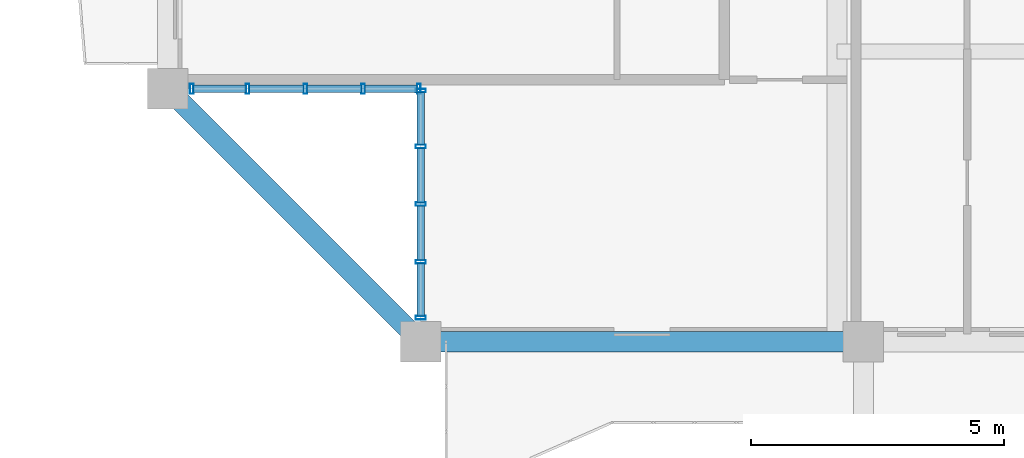
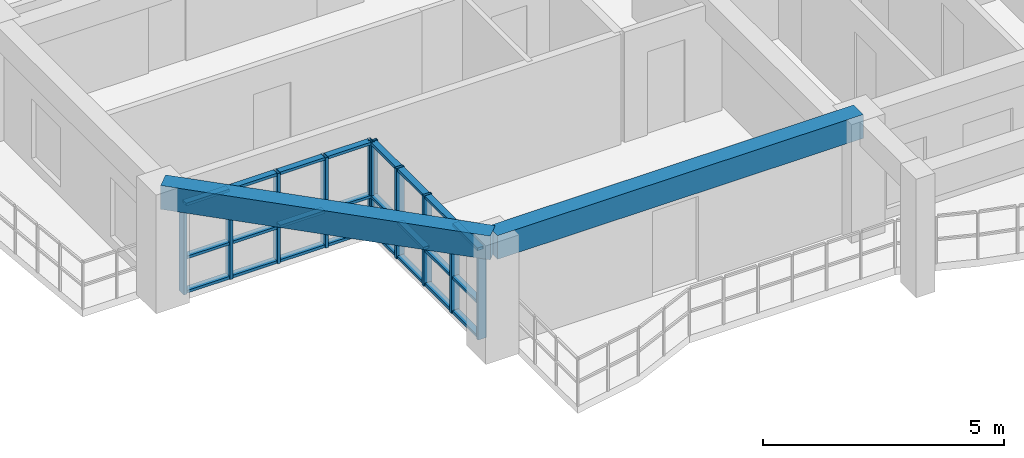
# One storey, part 2 of 22: 34 members, 2 beams, 2 elements without a shape of their own.
"""IFC4 building model written with IfcOpenShell, lengths in metres."""

from ifc_helpers import new_model, si_unit, direction, frame, origin, origin_2d, place, context, subcontext, project, spatial, rectangle, hollow_rectangle, extrude, source, transform, mapped, material, layer, layer_set, material_profile, profile_set, type_object, element, aggregate, save


model = new_model("IFC4")

# Units and contexts
model_context = context("Model", 3, precision=1e-05, world=origin(), true_north=direction((0.0, 1.0)))
body_context = subcontext(model_context, "Body", "Model", "MODEL_VIEW")
ifc_project = project(units=[si_unit("LENGTHUNIT", "METRE"), si_unit("AREAUNIT", "SQUARE_METRE"), si_unit("VOLUMEUNIT", "CUBIC_METRE"), si_unit("PLANEANGLEUNIT", "RADIAN"), si_unit("MASSUNIT", "GRAM", prefix="KILO")], contexts=[model_context])

# Site, building, storey
site_placement = place(None, origin())
site = spatial("IfcSite", under=ifc_project, at=site_placement, CompositionType="ELEMENT")
building_placement = place(site_placement, origin())
building = spatial("IfcBuilding", under=site, at=building_placement, Name="Saelheon Loggia Tower", CompositionType="ELEMENT")
storey_placement = place(building_placement, frame((0.0, 0.0, 176.800048828125)))
storey = spatial("IfcBuildingStorey", under=building, at=storey_placement, Name="L55", CompositionType="ELEMENT", Elevation=176.800048828125)

# Beams
ifc_material_1 = material(Name="Concrete C40/50", Category="concrete")
ifc_material_profile_1 = material_profile(ifc_material_1, rectangle(XDim=0.39990234375, YDim=0.60009765625, at=origin_2d()), Name="RC-400x600")
ifc_profile_set_1 = profile_set([ifc_material_profile_1], Name="Concrete C40/50")
beam_type = type_object("IfcBeamType", Name="Beam_PerimUpper_RC400x600", PredefinedType="BEAM", material=ifc_profile_set_1)
shared_shape_1 = source(origin(), body_context, "Body", "SweptSolid", [
    extrude(rectangle(XDim=0.39990234375, YDim=0.60009765625, at=origin_2d()), origin(), (0.0, 0.0, 1.0), 8.75),
])
beam_1_placement = place(storey_placement, frame((22.75, 6.0, 2.699951171875), z_axis=(1.0, 0.0, 0.0), x_axis=(0.0, 1.0, 0.0)))
element("IfcBeam", 1, at=beam_1_placement, inside=storey, type_object=beam_type, Name="L55 Perimeter Frame Girder 01", PredefinedType="BEAM", context=body_context, shape_type="MappedRepresentation", body=[
    mapped(shared_shape_1, transform((0.0, 0.0, 0.0), scale=1.0)),
])
shared_shape_2 = source(origin(), body_context, "Body", "SweptSolid", [
    extrude(rectangle(XDim=0.39990234375, YDim=0.60009765625, at=origin_2d()), origin(), (0.0, 0.0, 1.0), 7.071044921875),
])
beam_2_placement = place(storey_placement, frame((17.75, 11.0, 2.699951171875), z_axis=(0.707106781187, -0.707106781187, 0.0), x_axis=(0.707106781187, 0.707106781187, 0.0)))
element("IfcBeam", 2, at=beam_2_placement, inside=storey, type_object=beam_type, Name="L55 Perimeter Frame Girder 16", PredefinedType="BEAM", context=body_context, shape_type="MappedRepresentation", body=[
    mapped(shared_shape_2, transform((0.0, 0.0, 0.0), scale=1.0)),
])

# Curtain wall, members
ifc_material_2 = material(Name="High-Wind Aluminium and Triple Laminated Glass", Category="aluminium")
ifc_layer = layer(ifc_material_2, 0.179931640625)
ifc_layer_set = layer_set([ifc_layer], Name="High-Wind Aluminium and Triple Laminated Glass")
curtain_wall_type = type_object("IfcCurtainWallType", Name="CW_TowerLoggiaHigh", PredefinedType="NOTDEFINED", material=ifc_layer_set)
curtain_wall_1_placement = place(storey_placement, origin())
curtain_wall_1 = element("IfcCurtainWall", 3, at=curtain_wall_1_placement, inside=storey, type_object=curtain_wall_type, Name="L55 Corner Notch Glazing SW1", PredefinedType="NOTDEFINED")
ifc_material_3 = material(Name="Anodised Aluminium 6063-T6", Category="aluminium")
ifc_material_profile_2 = material_profile(ifc_material_3, hollow_rectangle(XDim=0.070068359375, YDim=0.199951171875, WallThickness=0.0048828125, at=origin_2d()), Name="RHS-200x70x5")
ifc_profile_set_2 = profile_set([ifc_material_profile_2], Name="Anodised Aluminium 6063-T6")
member_type_1 = type_object("IfcMemberType", Name="CW_TowerLoggiaHigh_Mullion", PredefinedType="MULLION", material=ifc_profile_set_2)
shared_shape_3 = source(origin(), body_context, "Body", "SweptSolid", [
    extrude(hollow_rectangle(XDim=0.070068359375, YDim=0.199951171875, WallThickness=0.0048828125, at=origin_2d()), origin(), (0.0, 0.0, 1.0), 2.280029296875),
])
member_1_placement = place(storey_placement, frame((22.75, 6.47509765625, 0.0), z_axis=(0.0, 0.0, 1.0), x_axis=(0.0, 1.0, 0.0)))
member_1 = element("IfcMember", 4, at=member_1_placement, type_object=member_type_1, Name="CW4 mullion 1", PredefinedType="MULLION", context=body_context, shape_type="MappedRepresentation", body=[
    mapped(shared_shape_3, transform((0.0, 0.0, 0.0), scale=1.0)),
])
member_2_placement = place(storey_placement, frame((22.75, 7.580078125, 0.0), z_axis=(0.0, 0.0, 1.0), x_axis=(0.0, 1.0, 0.0)))
member_2 = element("IfcMember", 5, at=member_2_placement, type_object=member_type_1, Name="CW4 mullion 2", PredefinedType="MULLION", context=body_context, shape_type="MappedRepresentation", body=[
    mapped(shared_shape_3, transform((0.0, 0.0, 0.0), scale=1.0)),
])
member_3_placement = place(storey_placement, frame((22.75, 8.719970703125, 0.0), z_axis=(0.0, 0.0, 1.0), x_axis=(0.0, 1.0, 0.0)))
member_3 = element("IfcMember", 6, at=member_3_placement, type_object=member_type_1, Name="CW4 mullion 3", PredefinedType="MULLION", context=body_context, shape_type="MappedRepresentation", body=[
    mapped(shared_shape_3, transform((0.0, 0.0, 0.0), scale=1.0)),
])
member_4_placement = place(storey_placement, frame((22.75, 9.860107421875, 0.0), z_axis=(0.0, 0.0, 1.0), x_axis=(0.0, 1.0, 0.0)))
member_4 = element("IfcMember", 7, at=member_4_placement, type_object=member_type_1, Name="CW4 mullion 4", PredefinedType="MULLION", context=body_context, shape_type="MappedRepresentation", body=[
    mapped(shared_shape_3, transform((0.0, 0.0, 0.0), scale=1.0)),
])
member_5_placement = place(storey_placement, frame((22.75, 10.965087890625, 0.0), z_axis=(0.0, 0.0, 1.0), x_axis=(0.0, 1.0, 0.0)))
member_5 = element("IfcMember", 8, at=member_5_placement, type_object=member_type_1, Name="CW4 mullion 5", PredefinedType="MULLION", context=body_context, shape_type="MappedRepresentation", body=[
    mapped(shared_shape_3, transform((0.0, 0.0, 0.0), scale=1.0)),
])

curtain_wall_2_placement = place(storey_placement, origin())
curtain_wall_2 = element("IfcCurtainWall", 9, at=curtain_wall_2_placement, inside=storey, type_object=curtain_wall_type, Name="L55 Corner Notch Glazing SW2", PredefinedType="NOTDEFINED")
member_6_placement = place(storey_placement, frame((18.22509765625, 11.0, 0.0), z_axis=(0.0, 0.0, 1.0), x_axis=(1.0, 0.0, 0.0)))
member_6 = element("IfcMember", 10, at=member_6_placement, type_object=member_type_1, Name="CW4 mullion 1", PredefinedType="MULLION", context=body_context, shape_type="MappedRepresentation", body=[
    mapped(shared_shape_3, transform((0.0, 0.0, 0.0), scale=1.0)),
])
member_7_placement = place(storey_placement, frame((19.330078125, 11.0, 0.0), z_axis=(0.0, 0.0, 1.0), x_axis=(1.0, 0.0, 0.0)))
member_7 = element("IfcMember", 11, at=member_7_placement, type_object=member_type_1, Name="CW4 mullion 2", PredefinedType="MULLION", context=body_context, shape_type="MappedRepresentation", body=[
    mapped(shared_shape_3, transform((0.0, 0.0, 0.0), scale=1.0)),
])
member_8_placement = place(storey_placement, frame((20.469970703125, 11.0, 0.0), z_axis=(0.0, 0.0, 1.0), x_axis=(1.0, 0.0, 0.0)))
member_8 = element("IfcMember", 12, at=member_8_placement, type_object=member_type_1, Name="CW4 mullion 3", PredefinedType="MULLION", context=body_context, shape_type="MappedRepresentation", body=[
    mapped(shared_shape_3, transform((0.0, 0.0, 0.0), scale=1.0)),
])
member_9_placement = place(storey_placement, frame((21.610107421875, 11.0, 0.0), z_axis=(0.0, 0.0, 1.0), x_axis=(1.0, 0.0, 0.0)))
member_9 = element("IfcMember", 13, at=member_9_placement, type_object=member_type_1, Name="CW4 mullion 4", PredefinedType="MULLION", context=body_context, shape_type="MappedRepresentation", body=[
    mapped(shared_shape_3, transform((0.0, 0.0, 0.0), scale=1.0)),
])
member_10_placement = place(storey_placement, frame((22.715087890625, 11.0, 0.0), z_axis=(0.0, 0.0, 1.0), x_axis=(1.0, 0.0, 0.0)))
member_10 = element("IfcMember", 14, at=member_10_placement, type_object=member_type_1, Name="CW4 mullion 5", PredefinedType="MULLION", context=body_context, shape_type="MappedRepresentation", body=[
    mapped(shared_shape_3, transform((0.0, 0.0, 0.0), scale=1.0)),
])

# Member
ifc_material_profile_3 = material_profile(ifc_material_3, hollow_rectangle(XDim=0.070068359375, YDim=0.14990234375, WallThickness=0.0048828125, at=origin_2d()), Name="RHS-150x70x5")
ifc_profile_set_3 = profile_set([ifc_material_profile_3], Name="Anodised Aluminium 6063-T6")
member_type_2 = type_object("IfcMemberType", Name="CW_TowerLoggiaHigh_Transom", PredefinedType="USERDEFINED", material=ifc_profile_set_3)
shared_shape_4 = source(origin(), body_context, "Body", "SweptSolid", [
    extrude(hollow_rectangle(XDim=0.070068359375, YDim=0.14990234375, WallThickness=0.0048828125, at=origin_2d()), origin(), (0.0, 0.0, 1.0), 1.034912109375),
])
member_11_placement = place(storey_placement, frame((22.75, 6.510009765625, 0.034912109375), z_axis=(0.0, 1.0, 0.0), x_axis=(0.0, 0.0, 1.0)))
member_11 = element("IfcMember", 15, at=member_11_placement, type_object=member_type_2, Name="CW4 transom 1.1", ObjectType="TRANSOM", PredefinedType="USERDEFINED", context=body_context, shape_type="MappedRepresentation", body=[
    mapped(shared_shape_4, transform((0.0, 0.0, 0.0), scale=1.0)),
])

member_12_placement = place(storey_placement, frame((22.75, 6.510009765625, 0.89990234375), z_axis=(0.0, 1.0, 0.0), x_axis=(0.0, 0.0, 1.0)))
member_12 = element("IfcMember", 16, at=member_12_placement, type_object=member_type_2, Name="CW4 transom 1.2", ObjectType="TRANSOM", PredefinedType="USERDEFINED", context=body_context, shape_type="MappedRepresentation", body=[
    mapped(shared_shape_4, transform((0.0, 0.0, 0.0), scale=1.0)),
])

member_13_placement = place(storey_placement, frame((22.75, 6.510009765625, 2.244873046875), z_axis=(0.0, 1.0, 0.0), x_axis=(0.0, 0.0, 1.0)))
member_13 = element("IfcMember", 17, at=member_13_placement, type_object=member_type_2, Name="CW4 transom 1.3", ObjectType="TRANSOM", PredefinedType="USERDEFINED", context=body_context, shape_type="MappedRepresentation", body=[
    mapped(shared_shape_4, transform((0.0, 0.0, 0.0), scale=1.0)),
])

member_14_placement = place(storey_placement, frame((22.75, 9.89501953125, 0.034912109375), z_axis=(0.0, 1.0, 0.0), x_axis=(0.0, 0.0, 1.0)))
member_14 = element("IfcMember", 18, at=member_14_placement, type_object=member_type_2, Name="CW4 transom 4.1", ObjectType="TRANSOM", PredefinedType="USERDEFINED", context=body_context, shape_type="MappedRepresentation", body=[
    mapped(shared_shape_4, transform((0.0, 0.0, 0.0), scale=1.0)),
])

member_15_placement = place(storey_placement, frame((22.75, 9.89501953125, 0.89990234375), z_axis=(0.0, 1.0, 0.0), x_axis=(0.0, 0.0, 1.0)))
member_15 = element("IfcMember", 19, at=member_15_placement, type_object=member_type_2, Name="CW4 transom 4.2", ObjectType="TRANSOM", PredefinedType="USERDEFINED", context=body_context, shape_type="MappedRepresentation", body=[
    mapped(shared_shape_4, transform((0.0, 0.0, 0.0), scale=1.0)),
])

member_16_placement = place(storey_placement, frame((22.75, 9.89501953125, 2.244873046875), z_axis=(0.0, 1.0, 0.0), x_axis=(0.0, 0.0, 1.0)))
member_16 = element("IfcMember", 20, at=member_16_placement, type_object=member_type_2, Name="CW4 transom 4.3", ObjectType="TRANSOM", PredefinedType="USERDEFINED", context=body_context, shape_type="MappedRepresentation", body=[
    mapped(shared_shape_4, transform((0.0, 0.0, 0.0), scale=1.0)),
])

member_17_placement = place(storey_placement, frame((18.260009765625, 11.0, 0.034912109375), z_axis=(1.0, 0.0, 0.0), x_axis=(0.0, 0.0, 1.0)))
member_17 = element("IfcMember", 21, at=member_17_placement, type_object=member_type_2, Name="CW4 transom 1.1", ObjectType="TRANSOM", PredefinedType="USERDEFINED", context=body_context, shape_type="MappedRepresentation", body=[
    mapped(shared_shape_4, transform((0.0, 0.0, 0.0), scale=1.0)),
])

member_18_placement = place(storey_placement, frame((18.260009765625, 11.0, 0.89990234375), z_axis=(1.0, 0.0, 0.0), x_axis=(0.0, 0.0, 1.0)))
member_18 = element("IfcMember", 22, at=member_18_placement, type_object=member_type_2, Name="CW4 transom 1.2", ObjectType="TRANSOM", PredefinedType="USERDEFINED", context=body_context, shape_type="MappedRepresentation", body=[
    mapped(shared_shape_4, transform((0.0, 0.0, 0.0), scale=1.0)),
])

member_19_placement = place(storey_placement, frame((18.260009765625, 11.0, 2.244873046875), z_axis=(1.0, 0.0, 0.0), x_axis=(0.0, 0.0, 1.0)))
member_19 = element("IfcMember", 23, at=member_19_placement, type_object=member_type_2, Name="CW4 transom 1.3", ObjectType="TRANSOM", PredefinedType="USERDEFINED", context=body_context, shape_type="MappedRepresentation", body=[
    mapped(shared_shape_4, transform((0.0, 0.0, 0.0), scale=1.0)),
])

member_20_placement = place(storey_placement, frame((21.64501953125, 11.0, 0.034912109375), z_axis=(1.0, 0.0, 0.0), x_axis=(0.0, 0.0, 1.0)))
member_20 = element("IfcMember", 24, at=member_20_placement, type_object=member_type_2, Name="CW4 transom 4.1", ObjectType="TRANSOM", PredefinedType="USERDEFINED", context=body_context, shape_type="MappedRepresentation", body=[
    mapped(shared_shape_4, transform((0.0, 0.0, 0.0), scale=1.0)),
])

member_21_placement = place(storey_placement, frame((21.64501953125, 11.0, 0.89990234375), z_axis=(1.0, 0.0, 0.0), x_axis=(0.0, 0.0, 1.0)))
member_21 = element("IfcMember", 25, at=member_21_placement, type_object=member_type_2, Name="CW4 transom 4.2", ObjectType="TRANSOM", PredefinedType="USERDEFINED", context=body_context, shape_type="MappedRepresentation", body=[
    mapped(shared_shape_4, transform((0.0, 0.0, 0.0), scale=1.0)),
])

member_22_placement = place(storey_placement, frame((21.64501953125, 11.0, 2.244873046875), z_axis=(1.0, 0.0, 0.0), x_axis=(0.0, 0.0, 1.0)))
member_22 = element("IfcMember", 26, at=member_22_placement, type_object=member_type_2, Name="CW4 transom 4.3", ObjectType="TRANSOM", PredefinedType="USERDEFINED", context=body_context, shape_type="MappedRepresentation", body=[
    mapped(shared_shape_4, transform((0.0, 0.0, 0.0), scale=1.0)),
])

shared_shape_5 = source(origin(), body_context, "Body", "SweptSolid", [
    extrude(hollow_rectangle(XDim=0.070068359375, YDim=0.14990234375, WallThickness=0.0048828125, at=origin_2d()), origin(), (0.0, 0.0, 1.0), 1.070068359375),
])
member_23_placement = place(storey_placement, frame((22.75, 7.614990234375, 0.034912109375), z_axis=(0.0, 1.0, 0.0), x_axis=(0.0, 0.0, 1.0)))
member_23 = element("IfcMember", 27, at=member_23_placement, type_object=member_type_2, Name="CW4 transom 2.1", ObjectType="TRANSOM", PredefinedType="USERDEFINED", context=body_context, shape_type="MappedRepresentation", body=[
    mapped(shared_shape_5, transform((0.0, 0.0, 0.0), scale=1.0)),
])

member_24_placement = place(storey_placement, frame((22.75, 7.614990234375, 0.89990234375), z_axis=(0.0, 1.0, 0.0), x_axis=(0.0, 0.0, 1.0)))
member_24 = element("IfcMember", 28, at=member_24_placement, type_object=member_type_2, Name="CW4 transom 2.2", ObjectType="TRANSOM", PredefinedType="USERDEFINED", context=body_context, shape_type="MappedRepresentation", body=[
    mapped(shared_shape_5, transform((0.0, 0.0, 0.0), scale=1.0)),
])

member_25_placement = place(storey_placement, frame((22.75, 7.614990234375, 2.244873046875), z_axis=(0.0, 1.0, 0.0), x_axis=(0.0, 0.0, 1.0)))
member_25 = element("IfcMember", 29, at=member_25_placement, type_object=member_type_2, Name="CW4 transom 2.3", ObjectType="TRANSOM", PredefinedType="USERDEFINED", context=body_context, shape_type="MappedRepresentation", body=[
    mapped(shared_shape_5, transform((0.0, 0.0, 0.0), scale=1.0)),
])

member_26_placement = place(storey_placement, frame((22.75, 8.7548828125, 0.034912109375), z_axis=(0.0, 1.0, 0.0), x_axis=(0.0, 0.0, 1.0)))
member_26 = element("IfcMember", 30, at=member_26_placement, type_object=member_type_2, Name="CW4 transom 3.1", ObjectType="TRANSOM", PredefinedType="USERDEFINED", context=body_context, shape_type="MappedRepresentation", body=[
    mapped(shared_shape_5, transform((0.0, 0.0, 0.0), scale=1.0)),
])

member_27_placement = place(storey_placement, frame((22.75, 8.7548828125, 0.89990234375), z_axis=(0.0, 1.0, 0.0), x_axis=(0.0, 0.0, 1.0)))
member_27 = element("IfcMember", 31, at=member_27_placement, type_object=member_type_2, Name="CW4 transom 3.2", ObjectType="TRANSOM", PredefinedType="USERDEFINED", context=body_context, shape_type="MappedRepresentation", body=[
    mapped(shared_shape_5, transform((0.0, 0.0, 0.0), scale=1.0)),
])

member_28_placement = place(storey_placement, frame((22.75, 8.7548828125, 2.244873046875), z_axis=(0.0, 1.0, 0.0), x_axis=(0.0, 0.0, 1.0)))
member_28 = element("IfcMember", 32, at=member_28_placement, type_object=member_type_2, Name="CW4 transom 3.3", ObjectType="TRANSOM", PredefinedType="USERDEFINED", context=body_context, shape_type="MappedRepresentation", body=[
    mapped(shared_shape_5, transform((0.0, 0.0, 0.0), scale=1.0)),
])

aggregate(curtain_wall_1, [member_1, member_2, member_3, member_4, member_5, member_11, member_12, member_13, member_23, member_24, member_25, member_26, member_27, member_28, member_14, member_15, member_16])

member_29_placement = place(storey_placement, frame((19.364990234375, 11.0, 0.034912109375), z_axis=(1.0, 0.0, 0.0), x_axis=(0.0, 0.0, 1.0)))
member_29 = element("IfcMember", 33, at=member_29_placement, type_object=member_type_2, Name="CW4 transom 2.1", ObjectType="TRANSOM", PredefinedType="USERDEFINED", context=body_context, shape_type="MappedRepresentation", body=[
    mapped(shared_shape_5, transform((0.0, 0.0, 0.0), scale=1.0)),
])

member_30_placement = place(storey_placement, frame((19.364990234375, 11.0, 0.89990234375), z_axis=(1.0, 0.0, 0.0), x_axis=(0.0, 0.0, 1.0)))
member_30 = element("IfcMember", 34, at=member_30_placement, type_object=member_type_2, Name="CW4 transom 2.2", ObjectType="TRANSOM", PredefinedType="USERDEFINED", context=body_context, shape_type="MappedRepresentation", body=[
    mapped(shared_shape_5, transform((0.0, 0.0, 0.0), scale=1.0)),
])

member_31_placement = place(storey_placement, frame((19.364990234375, 11.0, 2.244873046875), z_axis=(1.0, 0.0, 0.0), x_axis=(0.0, 0.0, 1.0)))
member_31 = element("IfcMember", 35, at=member_31_placement, type_object=member_type_2, Name="CW4 transom 2.3", ObjectType="TRANSOM", PredefinedType="USERDEFINED", context=body_context, shape_type="MappedRepresentation", body=[
    mapped(shared_shape_5, transform((0.0, 0.0, 0.0), scale=1.0)),
])

member_32_placement = place(storey_placement, frame((20.5048828125, 11.0, 0.034912109375), z_axis=(1.0, 0.0, 0.0), x_axis=(0.0, 0.0, 1.0)))
member_32 = element("IfcMember", 36, at=member_32_placement, type_object=member_type_2, Name="CW4 transom 3.1", ObjectType="TRANSOM", PredefinedType="USERDEFINED", context=body_context, shape_type="MappedRepresentation", body=[
    mapped(shared_shape_5, transform((0.0, 0.0, 0.0), scale=1.0)),
])

member_33_placement = place(storey_placement, frame((20.5048828125, 11.0, 0.89990234375), z_axis=(1.0, 0.0, 0.0), x_axis=(0.0, 0.0, 1.0)))
member_33 = element("IfcMember", 37, at=member_33_placement, type_object=member_type_2, Name="CW4 transom 3.2", ObjectType="TRANSOM", PredefinedType="USERDEFINED", context=body_context, shape_type="MappedRepresentation", body=[
    mapped(shared_shape_5, transform((0.0, 0.0, 0.0), scale=1.0)),
])

member_34_placement = place(storey_placement, frame((20.5048828125, 11.0, 2.244873046875), z_axis=(1.0, 0.0, 0.0), x_axis=(0.0, 0.0, 1.0)))
member_34 = element("IfcMember", 38, at=member_34_placement, type_object=member_type_2, Name="CW4 transom 3.3", ObjectType="TRANSOM", PredefinedType="USERDEFINED", context=body_context, shape_type="MappedRepresentation", body=[
    mapped(shared_shape_5, transform((0.0, 0.0, 0.0), scale=1.0)),
])

aggregate(curtain_wall_2, [member_6, member_7, member_8, member_9, member_10, member_17, member_18, member_19, member_29, member_30, member_31, member_32, member_33, member_34, member_20, member_21, member_22])

save(model, "model.ifc")
